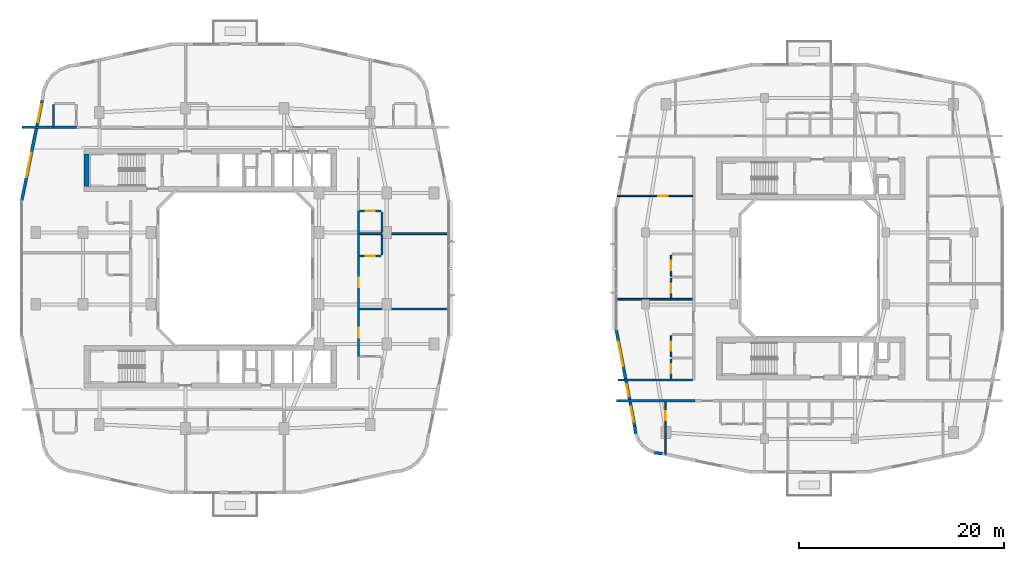
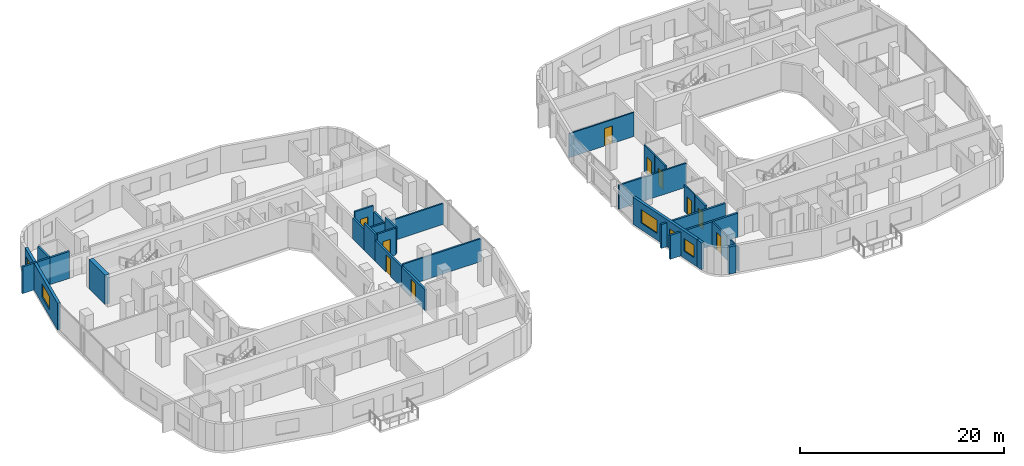
# One storey, part 10 of 22: 27 walls, 10 doors, 5 windows, 15 openings.
"""IFC4 building model written with IfcOpenShell, lengths in metres."""

from ifc_helpers import new_model, si_unit, derived_unit, direction, frame, frame_2d, origin, place, context, subcontext, project, spatial, rectangle, extrude, material, layer, layer_set, type_object, element, fill, save


model = new_model("IFC4")

# Units and contexts
model_context = context("Model", 3, precision=1e-05, world=origin(), true_north=direction((0.0, 1.0)))
body_context = subcontext(model_context, "Body", "Model", "MODEL_VIEW")
ifc_project = project(units=[si_unit("LENGTHUNIT", "METRE"), si_unit("AREAUNIT", "SQUARE_METRE"), si_unit("VOLUMEUNIT", "CUBIC_METRE"), si_unit("PLANEANGLEUNIT", "RADIAN"), si_unit("MASSUNIT", "GRAM", prefix="KILO"), derived_unit("THERMALTRANSMITTANCEUNIT", [(si_unit("POWERUNIT", "WATT"), 1), (si_unit("LENGTHUNIT", "METRE"), -2), (si_unit("THERMODYNAMICTEMPERATUREUNIT", "KELVIN"), -1)])], contexts=[model_context])

# Site, building, storey
site_placement = place(None, origin())
site = spatial("IfcSite", under=ifc_project, at=site_placement, CompositionType="ELEMENT")
building_placement = place(site_placement, origin())
building = spatial("IfcBuilding", under=site, at=building_placement, Name="Kivonza Crest Hotel", CompositionType="ELEMENT")
storey_placement = place(building_placement, frame((0.0, 0.0, 69.5)))
storey = spatial("IfcBuildingStorey", under=building, at=storey_placement, Name="L18", CompositionType="ELEMENT", Elevation=69.5)

# Walls
ifc_material_1 = material(Name="High-density acoustic masonry inter-tenancy wall", Category="masonry")
ifc_layer_1 = layer(ifc_material_1, 0.179931640625)
ifc_layer_set_1 = layer_set([ifc_layer_1], Name="High-density acoustic masonry inter-tenancy wall")
wall_type_1 = type_object("IfcWallType", Name="WL-ACOU-180", PredefinedType="SOLIDWALL", material=ifc_layer_set_1)
wall_1_placement = place(storey_placement, frame((33.050048828125, 21.049072265625, 0.0), z_axis=(0.0, 0.0, 1.0), x_axis=(1.0, 0.0, 0.0)))
element("IfcWall", 1, at=wall_1_placement, inside=storey, type_object=wall_type_1, Name="L18 interior partition WA-L18-T1E-DIV1", PredefinedType="SOLIDWALL", context=body_context, shape_type="SweptSolid", body=[
    extrude(rectangle(XDim=8.889892578125, YDim=0.179931640625, at=frame_2d((4.44482421875, 0.0))), origin(), (0.0, 0.0, 1.0), 2.7451171875),
])
wall_2_placement = place(storey_placement, frame((33.050048828125, 28.39306640625, 0.0), z_axis=(0.0, 0.0, 1.0), x_axis=(1.0, 0.0, 0.0)))
element("IfcWall", 2, at=wall_2_placement, inside=storey, type_object=wall_type_1, Name="L18 interior partition WA-L18-T1E-DIV2", PredefinedType="SOLIDWALL", context=body_context, shape_type="SweptSolid", body=[
    extrude(rectangle(XDim=8.889892578125, YDim=0.179931640625, at=frame_2d((4.44482421875, 0.0))), origin(), (0.0, 0.0, 1.0), 2.4951171875),
])
wall_3_placement = place(storey_placement, frame((58.06005859375, 22.0, 0.0), z_axis=(0.0, 0.0, 1.0), x_axis=(1.0, 0.0, 0.0)))
element("IfcWall", 3, at=wall_3_placement, inside=storey, type_object=wall_type_1, Name="L18 interior partition WA-L18-T2W-DIV1", PredefinedType="SOLIDWALL", context=body_context, shape_type="SweptSolid", body=[
    extrude(rectangle(XDim=7.639892578125, YDim=0.179931640625, at=frame_2d((3.81982421875, 0.0))), origin(), (0.0, 0.0, 1.0), 2.864990234375),
])
ifc_material_2 = material(Name="Autoclaved aerated concrete blockwork", Category="masonry")
ifc_layer_2 = layer(ifc_material_2, 0.219970703125)
ifc_layer_set_2 = layer_set([ifc_layer_2], Name="Autoclaved aerated concrete blockwork")
wall_type_2 = type_object("IfcWallType", Name="WL-ACOU-220", PredefinedType="SOLIDWALL", material=ifc_layer_set_2)
wall_4_placement = place(storey_placement, frame((0.239990234375, 38.75, 0.0), z_axis=(0.0, 0.0, 1.0), x_axis=(1.0, 0.0, 0.0)))
element("IfcWall", 4, at=wall_4_placement, inside=storey, type_object=wall_type_2, Name="L18 interior partition WA-L18-N01-XCORR", PredefinedType="SOLIDWALL", context=body_context, shape_type="SweptSolid", body=[
    extrude(rectangle(XDim=3.110107421875, YDim=0.219970703125, at=frame_2d((1.55517578125, 0.0))), origin(), (0.0, 0.0, 1.0), 3.219970703125),
])
wall_5_placement = place(storey_placement, frame((3.35009765625, 38.75, 0.0), z_axis=(0.0, 0.0, 1.0), x_axis=(1.0, 0.0, 0.0)))
element("IfcWall", 5, at=wall_5_placement, inside=storey, type_object=wall_type_2, Name="L18 interior partition WA-L18-N01-BCORR", PredefinedType="SOLIDWALL", context=body_context, shape_type="SweptSolid", body=[
    extrude(rectangle(XDim=2.199951171875, YDim=0.219970703125, at=frame_2d((1.10009765625, 0.0))), origin(), (0.0, 0.0, 1.0), 3.219970703125),
])

# Wall, opening, door
wall_6_placement = place(storey_placement, frame((33.050048828125, 16.39990234375, 0.0), z_axis=(0.0, 0.0, 1.0), x_axis=(0.0, 1.0, 0.0)))
wall_6 = element("IfcWall", 6, at=wall_6_placement, inside=storey, type_object=wall_type_2, Name="L18 interior partition WA-L18-E08-MCORR", PredefinedType="SOLIDWALL", context=body_context, shape_type="SweptSolid", body=[
    extrude(rectangle(XDim=4.649169921875, YDim=0.219970703125, at=frame_2d((2.32470703125, 0.0))), origin(), (0.0, 0.0, 1.0), 2.4951171875),
])
opening_1_placement = place(wall_6_placement, frame((1.85009765625, 0.0, 0.0)))
opening_1 = element("IfcOpeningElement", 7, at=opening_1_placement, cuts=wall_6, Name="Opening DU-60", PredefinedType="OPENING", context=body_context, shape_type="SweptSolid", body=[
    extrude(rectangle(XDim=0.949951171875, YDim=2.10009765625, at=frame_2d((0.47509765625, 1.050048828125))), frame((0.0, 0.1201171875, 0.0), z_axis=(0.0, -1.0, 0.0), x_axis=(1.0, 0.0, 0.0)), (0.0, 0.0, 1.0), 0.239990234375),
])
ifc_material_3 = material(Name="Hardwood timber oak", Category="wood")
door_type_1 = type_object("IfcDoorType", Name="DR-UNIT-950", OperationType="NOTDEFINED", PredefinedType="DOOR", material=ifc_material_3)
door_1_placement = place(opening_1_placement, frame((0.949951171875, 0.0, 0.0), z_axis=(0.0, 0.0, 1.0), x_axis=(-1.0, 0.0, 0.0)))
door_1 = element("IfcDoor", 8, at=door_1_placement, inside=storey, type_object=door_type_1, Name="L18 E08 guest unit entrance fire door", OperationType="SINGLE_SWING_RIGHT", OverallHeight=2.10009765625, OverallWidth=0.949951171875, PredefinedType="DOOR", context=body_context, shape_type="SweptSolid", body=[
    extrude(rectangle(XDim=0.949951171875, YDim=2.10009765625, at=frame_2d((0.47509765625, 1.050048828125))), frame((0.0, 0.02490234375, 0.0), z_axis=(0.0, -1.0, 0.0), x_axis=(1.0, 0.0, 0.0)), (0.0, 0.0, 1.0), 0.050048828125),
])
fill(opening_1, door_1)

# Wall
wall_7_placement = place(storey_placement, frame((33.050048828125, 26.193115234375, 0.0), z_axis=(0.0, 0.0, 1.0), x_axis=(0.0, 1.0, 0.0)))
element("IfcWall", 9, at=wall_7_placement, inside=storey, type_object=wall_type_2, Name="L18 interior partition WA-L18-E09-BCORR", PredefinedType="SOLIDWALL", context=body_context, shape_type="SweptSolid", body=[
    extrude(rectangle(XDim=2.199951171875, YDim=0.219970703125, at=frame_2d((1.10009765625, 0.0))), origin(), (0.0, 0.0, 1.0), 3.219970703125),
])

# Wall, opening, door
wall_8_placement = place(storey_placement, frame((33.050048828125, 21.049072265625, 0.0), z_axis=(0.0, 0.0, 1.0), x_axis=(0.0, 1.0, 0.0)))
wall_8 = element("IfcWall", 10, at=wall_8_placement, inside=storey, type_object=wall_type_2, Name="L18 interior partition WA-L18-E09-MCORR", PredefinedType="SOLIDWALL", context=body_context, shape_type="SweptSolid", body=[
    extrude(rectangle(XDim=5.14404296875, YDim=0.219970703125, at=frame_2d((2.572021484375, 0.0))), origin(), (0.0, 0.0, 1.0), 2.4951171875),
])
opening_2_placement = place(wall_8_placement, frame((2.096923828125, 0.0, 0.0)))
opening_2 = element("IfcOpeningElement", 11, at=opening_2_placement, cuts=wall_8, Name="Opening DU-60", PredefinedType="OPENING", context=body_context, shape_type="SweptSolid", body=[
    extrude(rectangle(XDim=0.949951171875, YDim=2.10009765625, at=frame_2d((0.47509765625, 1.050048828125))), frame((0.0, 0.1201171875, 0.0), z_axis=(0.0, -1.0, 0.0), x_axis=(1.0, 0.0, 0.0)), (0.0, 0.0, 1.0), 0.239990234375),
])
door_2_placement = place(opening_2_placement, frame((0.949951171875, 0.0, 0.0), z_axis=(0.0, 0.0, 1.0), x_axis=(-1.0, 0.0, 0.0)))
door_2 = element("IfcDoor", 12, at=door_2_placement, inside=storey, type_object=door_type_1, Name="L18 E09 guest unit entrance fire door", OperationType="SINGLE_SWING_LEFT", OverallHeight=2.10009765625, OverallWidth=0.949951171875, PredefinedType="DOOR", context=body_context, shape_type="SweptSolid", body=[
    extrude(rectangle(XDim=0.949951171875, YDim=2.10009765625, at=frame_2d((0.47509765625, 1.050048828125))), frame((0.0, 0.02490234375, 0.0), z_axis=(0.0, -1.0, 0.0), x_axis=(1.0, 0.0, 0.0)), (0.0, 0.0, 1.0), 0.050048828125),
])
fill(opening_2, door_2)

# Walls
wall_9_placement = place(storey_placement, frame((33.050048828125, 28.39306640625, 0.0), z_axis=(0.0, 0.0, 1.0), x_axis=(0.0, 1.0, 0.0)))
element("IfcWall", 13, at=wall_9_placement, inside=storey, type_object=wall_type_2, Name="L18 interior partition WA-L18-E10-BCORR", PredefinedType="SOLIDWALL", context=body_context, shape_type="SweptSolid", body=[
    extrude(rectangle(XDim=2.199951171875, YDim=0.219970703125, at=frame_2d((1.10009765625, 0.0))), origin(), (0.0, 0.0, 1.0), 2.4951171875),
])
wall_10_placement = place(storey_placement, frame((58.159912109375, 12.10009765625, 0.0), z_axis=(0.0, 0.0, 1.0), x_axis=(1.0, 0.0, 0.0)))
element("IfcWall", 14, at=wall_10_placement, inside=storey, type_object=wall_type_2, Name="L18 interior partition WA-L18-A03-LCORR", PredefinedType="SOLIDWALL", context=body_context, shape_type="SweptSolid", body=[
    extrude(rectangle(XDim=7.690185546875, YDim=0.219970703125, at=frame_2d((3.84521484375, 0.0))), origin(), (0.0, 0.0, 1.0), 2.864990234375),
])
wall_11_placement = place(storey_placement, frame((58.320068359375, 14.139892578125, 0.0), z_axis=(0.0, 0.0, 1.0), x_axis=(1.0, 0.0, 0.0)))
element("IfcWall", 15, at=wall_11_placement, inside=storey, type_object=wall_type_2, Name="L18 interior partition WA-L18-T2W-ENDS", PredefinedType="SOLIDWALL", context=body_context, shape_type="SweptSolid", body=[
    extrude(rectangle(XDim=7.280029296875, YDim=0.219970703125, at=frame_2d((3.64013671875, 0.0))), origin(), (0.0, 0.0, 1.0), 2.864990234375),
])
ifc_material_4 = material(Name="Concrete C60/75", Category="concrete")
ifc_layer_3 = layer(ifc_material_4, 0.5)
ifc_layer_set_3 = layer_set([ifc_layer_3], Name="Concrete C60/75")
wall_type_3 = type_object("IfcWallType", Name="WL-CORE-500", PredefinedType="SHEAR", material=ifc_layer_set_3)
wall_12_placement = place(storey_placement, frame((6.550048828125, 33.0, 0.0), z_axis=(0.0, 0.0, 1.0), x_axis=(0.0, 1.0, 0.0)))
element("IfcWall", 16, at=wall_12_placement, inside=storey, type_object=wall_type_3, Name="Core wall T1-N West L18", PredefinedType="SHEAR", context=body_context, shape_type="SweptSolid", body=[
    extrude(rectangle(XDim=3.159912109375, YDim=0.5, at=frame_2d((1.580078125, 0.0))), origin(), (0.0, 0.0, 1.0), 3.5),
])

# Wall, openings, windows
ifc_material_5 = material(Name="Precast concrete C40/50", Category="concrete")
ifc_layer_4 = layer(ifc_material_5, 0.300048828125)
ifc_layer_set_4 = layer_set([ifc_layer_4], Name="Precast concrete C40/50")
wall_type_4 = type_object("IfcWallType", Name="WL-EXT-300", PredefinedType="STANDARD", material=ifc_layer_set_4)
wall_13_placement = place(storey_placement, frame((2.22900390625, 41.3779296875, 0.0), z_axis=(0.0, 0.0, 1.0), x_axis=(-0.199990901713, -0.979797754249, 0.0)))
wall_13 = element("IfcWall", 17, at=wall_13_placement, inside=storey, type_object=wall_type_4, Name="L18 T1 exterior insulated wall 34", PredefinedType="STANDARD", context=body_context, shape_type="SweptSolid", body=[
    extrude(rectangle(XDim=10.065185546875, YDim=0.300048828125, at=frame_2d((5.03271484375, 0.0))), origin(), (0.0, 0.0, 1.0), 3.219970703125),
])
opening_3_placement = place(wall_13_placement, frame((0.3779296875, 0.0, 0.85009765625)))
opening_3 = element("IfcOpeningElement", 18, at=opening_3_placement, cuts=wall_13, Name="Opening WN-03", PredefinedType="OPENING", context=body_context, shape_type="SweptSolid", body=[
    extrude(rectangle(XDim=1.800048828125, YDim=1.5, at=frame_2d((0.89990234375, 0.75))), frame((0.0, 0.16015625, 0.0), z_axis=(0.0, -1.0, 0.0), x_axis=(1.0, 0.0, 0.0)), (0.0, 0.0, 1.0), 0.320068359375),
])
opening_4_placement = place(wall_13_placement, frame((5.236083984375, 0.0, 0.800048828125)))
opening_4 = element("IfcOpeningElement", 19, at=opening_4_placement, cuts=wall_13, Name="Opening WN-05", PredefinedType="OPENING", context=body_context, shape_type="SweptSolid", body=[
    extrude(rectangle(XDim=2.39990234375, YDim=1.60009765625, at=frame_2d((1.199951171875, 0.800048828125))), frame((0.0, 0.16015625, 0.0), z_axis=(0.0, -1.0, 0.0), x_axis=(1.0, 0.0, 0.0)), (0.0, 0.0, 1.0), 0.320068359375),
])
ifc_material_6 = material(Name="Thermally broken bronze aluminium and low-E double glazing", Category="aluminium")
window_type_1 = type_object("IfcWindowType", Name="WN-180x150", PartitioningType="DOUBLE_PANEL_VERTICAL", PredefinedType="WINDOW", material=ifc_material_6)
window_1_placement = place(opening_3_placement, origin())
window_1 = element("IfcWindow", 20, at=window_1_placement, inside=storey, type_object=window_type_1, Name="L18 T1 facade window 34 bay 1", OverallHeight=1.5, OverallWidth=1.800048828125, PartitioningType="SINGLE_PANEL", PredefinedType="WINDOW", context=body_context, shape_type="SweptSolid", body=[
    extrude(rectangle(XDim=1.800048828125, YDim=1.5, at=frame_2d((0.89990234375, 0.75))), frame((0.0, 0.030029296875, 0.0), z_axis=(0.0, -1.0, 0.0), x_axis=(1.0, 0.0, 0.0)), (0.0, 0.0, 1.0), 0.06005859375),
])
fill(opening_3, window_1)
window_type_2 = type_object("IfcWindowType", Name="WN-240x160", PartitioningType="TRIPLE_PANEL_VERTICAL", PredefinedType="WINDOW", material=ifc_material_6)
window_2_placement = place(opening_4_placement, origin())
window_2 = element("IfcWindow", 21, at=window_2_placement, inside=storey, type_object=window_type_2, Name="L18 T1 facade window 34 bay 2", OverallHeight=1.60009765625, OverallWidth=2.39990234375, PartitioningType="SINGLE_PANEL", PredefinedType="WINDOW", context=body_context, shape_type="SweptSolid", body=[
    extrude(rectangle(XDim=2.39990234375, YDim=1.60009765625, at=frame_2d((1.199951171875, 0.800048828125))), frame((0.0, 0.030029296875, 0.0), z_axis=(0.0, -1.0, 0.0), x_axis=(1.0, 0.0, 0.0)), (0.0, 0.0, 1.0), 0.06005859375),
])
fill(opening_4, window_2)

# Walls
wall_14_placement = place(storey_placement, frame((59.947998046875, 9.626953125, 0.0), z_axis=(0.0, 0.0, 1.0), x_axis=(0.130255288807, -0.991480488834, 0.0)))
element("IfcWall", 22, at=wall_14_placement, inside=storey, type_object=wall_type_4, Name="L18 T2 exterior insulated wall 1", PredefinedType="STANDARD", context=body_context, shape_type="SweptSolid", body=[
    extrude(rectangle(XDim=0.72900390625, YDim=0.300048828125, at=frame_2d((0.364501953125, 0.0))), origin(), (0.0, 0.0, 1.0), 3.25),
])
wall_15_placement = place(storey_placement, frame((61.868896484375, 7.047119140625, 0.0), z_axis=(0.0, 0.0, 1.0), x_axis=(0.991559404866, -0.129653178221, 0.0)))
element("IfcWall", 23, at=wall_15_placement, inside=storey, type_object=wall_type_4, Name="L18 T2 exterior insulated wall 6", PredefinedType="STANDARD", context=body_context, shape_type="SweptSolid", body=[
    extrude(rectangle(XDim=0.764404296875, YDim=0.300048828125, at=frame_2d((0.38232421875, 0.0))), origin(), (0.0, 0.0, 1.0), 3.25),
])

# Wall, openings, windows
wall_16_placement = place(storey_placement, frame((58.136962890625, 19.08203125, 0.0), z_axis=(0.0, 0.0, 1.0), x_axis=(0.188087874316, -0.982152203854, 0.0)))
wall_16 = element("IfcWall", 24, at=wall_16_placement, inside=storey, type_object=wall_type_4, Name="L18 T2 exterior insulated wall 36", PredefinedType="STANDARD", context=body_context, shape_type="SweptSolid", body=[
    extrude(rectangle(XDim=9.6337890625, YDim=0.300048828125, at=frame_2d((4.81689453125, 0.0))), origin(), (0.0, 0.0, 1.0), 3.25),
])
opening_5_placement = place(wall_16_placement, frame((1.2548828125, 0.0, 0.800048828125)))
opening_5 = element("IfcOpeningElement", 25, at=opening_5_placement, cuts=wall_16, Name="Opening WN-05", PredefinedType="OPENING", context=body_context, shape_type="SweptSolid", body=[
    extrude(rectangle(XDim=2.39990234375, YDim=1.60009765625, at=frame_2d((1.199951171875, 0.800048828125))), frame((0.0, 0.16015625, 0.0), z_axis=(0.0, -1.0, 0.0), x_axis=(1.0, 0.0, 0.0)), (0.0, 0.0, 1.0), 0.320068359375),
])
opening_6_placement = place(wall_16_placement, frame((5.469970703125, 0.0, 0.85009765625)))
opening_6 = element("IfcOpeningElement", 26, at=opening_6_placement, cuts=wall_16, Name="Opening WN-01", PredefinedType="OPENING", context=body_context, shape_type="SweptSolid", body=[
    extrude(rectangle(XDim=1.199951171875, YDim=1.5, at=frame_2d((0.60009765625, 0.75))), frame((0.0, 0.16015625, 0.0), z_axis=(0.0, -1.0, 0.0), x_axis=(1.0, 0.0, 0.0)), (0.0, 0.0, 1.0), 0.320068359375),
])
opening_7_placement = place(wall_16_placement, frame((7.681884765625, 0.0, 0.85009765625)))
opening_7 = element("IfcOpeningElement", 27, at=opening_7_placement, cuts=wall_16, Name="Opening WN-02", PredefinedType="OPENING", context=body_context, shape_type="SweptSolid", body=[
    extrude(rectangle(XDim=1.5, YDim=1.5, at=frame_2d((0.75, 0.75))), frame((0.0, 0.16015625, 0.0), z_axis=(0.0, -1.0, 0.0), x_axis=(1.0, 0.0, 0.0)), (0.0, 0.0, 1.0), 0.320068359375),
])
window_type_3 = type_object("IfcWindowType", Name="WN-120x150", PartitioningType="SINGLE_PANEL", PredefinedType="WINDOW", material=ifc_material_6)
window_3_placement = place(opening_6_placement, origin())
window_3 = element("IfcWindow", 28, at=window_3_placement, inside=storey, type_object=window_type_3, Name="L18 T2 facade window 36 bay 2", OverallHeight=1.5, OverallWidth=1.199951171875, PartitioningType="SINGLE_PANEL", PredefinedType="WINDOW", context=body_context, shape_type="SweptSolid", body=[
    extrude(rectangle(XDim=1.199951171875, YDim=1.5, at=frame_2d((0.60009765625, 0.75))), frame((0.0, 0.030029296875, 0.0), z_axis=(0.0, -1.0, 0.0), x_axis=(1.0, 0.0, 0.0)), (0.0, 0.0, 1.0), 0.06005859375),
])
fill(opening_6, window_3)
window_type_4 = type_object("IfcWindowType", Name="WN-150x150", PartitioningType="DOUBLE_PANEL_VERTICAL", PredefinedType="WINDOW", material=ifc_material_6)
window_4_placement = place(opening_7_placement, origin())
window_4 = element("IfcWindow", 29, at=window_4_placement, inside=storey, type_object=window_type_4, Name="L18 T2 facade window 36 bay 3", OverallHeight=1.5, OverallWidth=1.5, PartitioningType="SINGLE_PANEL", PredefinedType="WINDOW", context=body_context, shape_type="SweptSolid", body=[
    extrude(rectangle(XDim=1.5, YDim=1.5, at=frame_2d((0.75, 0.75))), frame((0.0, 0.030029296875, 0.0), z_axis=(0.0, -1.0, 0.0), x_axis=(1.0, 0.0, 0.0)), (0.0, 0.0, 1.0), 0.06005859375),
])
fill(opening_7, window_4)
window_5_placement = place(opening_5_placement, origin())
window_5 = element("IfcWindow", 30, at=window_5_placement, inside=storey, type_object=window_type_2, Name="L18 T2 facade window 36 bay 1", OverallHeight=1.60009765625, OverallWidth=2.39990234375, PartitioningType="SINGLE_PANEL", PredefinedType="WINDOW", context=body_context, shape_type="SweptSolid", body=[
    extrude(rectangle(XDim=2.39990234375, YDim=1.60009765625, at=frame_2d((1.199951171875, 0.800048828125))), frame((0.0, 0.030029296875, 0.0), z_axis=(0.0, -1.0, 0.0), x_axis=(1.0, 0.0, 0.0)), (0.0, 0.0, 1.0), 0.06005859375),
])
fill(opening_5, window_5)

# Wall, opening, door
ifc_material_7 = material(Name="Twin-stud acoustic gypsum board partition", Category="gypsum")
ifc_layer_5 = layer(ifc_material_7, 0.14990234375)
ifc_layer_set_5 = layer_set([ifc_layer_5], Name="Twin-stud acoustic gypsum board partition")
wall_type_5 = type_object("IfcWallType", Name="WL-PART-150", PredefinedType="PARTITIONING", material=ifc_layer_set_5)
wall_17_placement = place(storey_placement, frame((62.9599609375, 6.886962890625, 0.0), z_axis=(0.0, 0.0, 1.0), x_axis=(0.0, 1.0, 0.0)))
wall_17 = element("IfcWall", 31, at=wall_17_placement, inside=storey, type_object=wall_type_5, Name="L18 interior partition WP-L18-A03-BDW1", PredefinedType="PARTITIONING", context=body_context, shape_type="SweptSolid", body=[
    extrude(rectangle(XDim=5.113037109375, YDim=0.14990234375, at=frame_2d((2.556640625, 0.0))), origin(), (0.0, 0.0, 1.0), 2.864990234375),
])
opening_8_placement = place(wall_17_placement, frame((3.31005859375, 0.0, 0.0)))
opening_8 = element("IfcOpeningElement", 32, at=opening_8_placement, cuts=wall_17, Name="Opening DI-90", PredefinedType="OPENING", context=body_context, shape_type="SweptSolid", body=[
    extrude(rectangle(XDim=0.89990234375, YDim=2.10009765625, at=frame_2d((0.449951171875, 1.050048828125))), frame((0.0, 0.0849609375, 0.0), z_axis=(0.0, -1.0, 0.0), x_axis=(1.0, 0.0, 0.0)), (0.0, 0.0, 1.0), 0.169921875),
])
door_type_2 = type_object("IfcDoorType", Name="DR-INT-900", OperationType="NOTDEFINED", PredefinedType="DOOR", material=ifc_material_3)
door_3_placement = place(opening_8_placement, origin())
door_3 = element("IfcDoor", 33, at=door_3_placement, inside=storey, type_object=door_type_2, Name="L18 A03 bedroom 1 door", OperationType="SINGLE_SWING_RIGHT", OverallHeight=2.10009765625, OverallWidth=0.89990234375, PredefinedType="DOOR", context=body_context, shape_type="SweptSolid", body=[
    extrude(rectangle(XDim=0.89990234375, YDim=2.10009765625, at=frame_2d((0.449951171875, 1.050048828125))), frame((0.0, 0.02490234375, 0.0), z_axis=(0.0, -1.0, 0.0), x_axis=(1.0, 0.0, 0.0)), (0.0, 0.0, 1.0), 0.050048828125),
])
fill(opening_8, door_3)

wall_18_placement = place(storey_placement, frame((63.5, 16.389892578125, 0.0), z_axis=(0.0, 0.0, 1.0), x_axis=(0.0, 1.0, 0.0)))
wall_18 = element("IfcWall", 34, at=wall_18_placement, inside=storey, type_object=wall_type_5, Name="L18 interior partition WP-L18-A05-KSVC", PredefinedType="PARTITIONING", context=body_context, shape_type="SweptSolid", body=[
    extrude(rectangle(XDim=2.050048828125, YDim=0.14990234375, at=frame_2d((1.02490234375, 0.0))), origin(), (0.0, 0.0, 1.0), 3.219970703125),
])
opening_9_placement = place(wall_18_placement, frame((0.574951171875, 0.0, 0.0)))
opening_9 = element("IfcOpeningElement", 35, at=opening_9_placement, cuts=wall_18, Name="Opening DI-90", PredefinedType="OPENING", context=body_context, shape_type="SweptSolid", body=[
    extrude(rectangle(XDim=0.89990234375, YDim=2.10009765625, at=frame_2d((0.449951171875, 1.050048828125))), frame((0.0, 0.0849609375, 0.0), z_axis=(0.0, -1.0, 0.0), x_axis=(1.0, 0.0, 0.0)), (0.0, 0.0, 1.0), 0.169921875),
])
door_4_placement = place(opening_9_placement, origin())
door_4 = element("IfcDoor", 36, at=door_4_placement, inside=storey, type_object=door_type_2, Name="L18 A05 apartment kitchen door", OperationType="SINGLE_SWING_LEFT", OverallHeight=2.10009765625, OverallWidth=0.89990234375, PredefinedType="DOOR", context=body_context, shape_type="SweptSolid", body=[
    extrude(rectangle(XDim=0.89990234375, YDim=2.10009765625, at=frame_2d((0.449951171875, 1.050048828125))), frame((0.0, 0.02490234375, 0.0), z_axis=(0.0, -1.0, 0.0), x_axis=(1.0, 0.0, 0.0)), (0.0, 0.0, 1.0), 0.050048828125),
])
fill(opening_9, door_4)

wall_19_placement = place(storey_placement, frame((58.260009765625, 32.06005859375, 0.0), z_axis=(0.0, 0.0, 1.0), x_axis=(1.0, 0.0, 0.0)))
wall_19 = element("IfcWall", 37, at=wall_19_placement, inside=storey, type_object=wall_type_5, Name="L18 interior partition WP-L18-A06-BD1", PredefinedType="PARTITIONING", context=body_context, shape_type="SweptSolid", body=[
    extrude(rectangle(XDim=7.340087890625, YDim=0.14990234375, at=frame_2d((3.669921875, 0.0))), origin(), (0.0, 0.0, 1.0), 2.864990234375),
])
opening_10_placement = place(wall_19_placement, frame((3.989990234375, 0.0, 0.0)))
opening_10 = element("IfcOpeningElement", 38, at=opening_10_placement, cuts=wall_19, Name="Opening DI-90", PredefinedType="OPENING", context=body_context, shape_type="SweptSolid", body=[
    extrude(rectangle(XDim=0.89990234375, YDim=2.10009765625, at=frame_2d((0.449951171875, 1.050048828125))), frame((0.0, 0.0849609375, 0.0), z_axis=(0.0, -1.0, 0.0), x_axis=(1.0, 0.0, 0.0)), (0.0, 0.0, 1.0), 0.169921875),
])
door_5_placement = place(opening_10_placement, origin())
door_5 = element("IfcDoor", 39, at=door_5_placement, inside=storey, type_object=door_type_2, Name="L18 A06 bedroom door", OperationType="SINGLE_SWING_LEFT", OverallHeight=2.10009765625, OverallWidth=0.89990234375, PredefinedType="DOOR", context=body_context, shape_type="SweptSolid", body=[
    extrude(rectangle(XDim=0.89990234375, YDim=2.10009765625, at=frame_2d((0.449951171875, 1.050048828125))), frame((0.0, 0.02490234375, 0.0), z_axis=(0.0, -1.0, 0.0), x_axis=(1.0, 0.0, 0.0)), (0.0, 0.0, 1.0), 0.050048828125),
])
fill(opening_10, door_5)

wall_20_placement = place(storey_placement, frame((63.5, 24.25, 0.0), z_axis=(0.0, 0.0, 1.0), x_axis=(0.0, 1.0, 0.0)))
wall_20 = element("IfcWall", 40, at=wall_20_placement, inside=storey, type_object=wall_type_5, Name="L18 interior partition WP-L18-A06-KSVC", PredefinedType="PARTITIONING", context=body_context, shape_type="SweptSolid", body=[
    extrude(rectangle(XDim=2.050048828125, YDim=0.14990234375, at=frame_2d((1.02490234375, 0.0))), origin(), (0.0, 0.0, 1.0), 3.219970703125),
])
opening_11_placement = place(wall_20_placement, frame((0.574951171875, 0.0, 0.0)))
opening_11 = element("IfcOpeningElement", 41, at=opening_11_placement, cuts=wall_20, Name="Opening DI-90", PredefinedType="OPENING", context=body_context, shape_type="SweptSolid", body=[
    extrude(rectangle(XDim=0.89990234375, YDim=2.10009765625, at=frame_2d((0.449951171875, 1.050048828125))), frame((0.0, 0.0849609375, 0.0), z_axis=(0.0, -1.0, 0.0), x_axis=(1.0, 0.0, 0.0)), (0.0, 0.0, 1.0), 0.169921875),
])
door_6_placement = place(opening_11_placement, origin())
door_6 = element("IfcDoor", 42, at=door_6_placement, inside=storey, type_object=door_type_2, Name="L18 A06 apartment kitchen door", OperationType="SINGLE_SWING_RIGHT", OverallHeight=2.10009765625, OverallWidth=0.89990234375, PredefinedType="DOOR", context=body_context, shape_type="SweptSolid", body=[
    extrude(rectangle(XDim=0.89990234375, YDim=2.10009765625, at=frame_2d((0.449951171875, 1.050048828125))), frame((0.0, 0.02490234375, 0.0), z_axis=(0.0, -1.0, 0.0), x_axis=(1.0, 0.0, 0.0)), (0.0, 0.0, 1.0), 0.050048828125),
])
fill(opening_11, door_6)

# Wall
ifc_material_8 = material(Name="Moisture-resistant plumbing chase partition wall", Category="gypsum")
ifc_layer_6 = layer(ifc_material_8, 0.199951171875)
ifc_layer_set_6 = layer_set([ifc_layer_6], Name="Moisture-resistant plumbing chase partition wall")
wall_type_6 = type_object("IfcWallType", Name="WL-PLUMB-200", PredefinedType="PLUMBINGWALL", material=ifc_layer_set_6)
wall_21_placement = place(storey_placement, frame((3.35009765625, 38.85009765625, 0.0), z_axis=(0.0, 0.0, 1.0), x_axis=(0.0, 1.0, 0.0)))
element("IfcWall", 43, at=wall_21_placement, inside=storey, type_object=wall_type_6, Name="L18 interior partition WW-L18-N01-BVW", PredefinedType="PLUMBINGWALL", context=body_context, shape_type="SweptSolid", body=[
    extrude(rectangle(XDim=2.099853515625, YDim=0.199951171875, at=frame_2d((1.0498046875, 0.0))), origin(), (0.0, 0.0, 1.0), 3.219970703125),
])

# Wall, opening, door
wall_22_placement = place(storey_placement, frame((33.14990234375, 26.193115234375, 0.0), z_axis=(0.0, 0.0, 1.0), x_axis=(1.0, 0.0, 0.0)))
wall_22 = element("IfcWall", 44, at=wall_22_placement, inside=storey, type_object=wall_type_6, Name="L18 interior partition WW-L18-E09-BH", PredefinedType="PLUMBINGWALL", context=body_context, shape_type="SweptSolid", body=[
    extrude(rectangle(XDim=2.10009765625, YDim=0.199951171875, at=frame_2d((1.050048828125, 0.0))), origin(), (0.0, 0.0, 1.0), 3.219970703125),
])
opening_12_placement = place(wall_22_placement, frame((0.625, 0.0, 0.0)))
opening_12 = element("IfcOpeningElement", 45, at=opening_12_placement, cuts=wall_22, Name="Opening DI-85", PredefinedType="OPENING", context=body_context, shape_type="SweptSolid", body=[
    extrude(rectangle(XDim=0.85009765625, YDim=2.10009765625, at=frame_2d((0.425048828125, 1.050048828125))), frame((0.0, 0.10986328125, 0.0), z_axis=(0.0, -1.0, 0.0), x_axis=(1.0, 0.0, 0.0)), (0.0, 0.0, 1.0), 0.219970703125),
])
door_type_3 = type_object("IfcDoorType", Name="DR-INT-850", OperationType="NOTDEFINED", PredefinedType="DOOR", material=ifc_material_3)
door_7_placement = place(opening_12_placement, frame((0.85009765625, 0.0, 0.0), z_axis=(0.0, 0.0, 1.0), x_axis=(-1.0, 0.0, 0.0)))
door_7 = element("IfcDoor", 46, at=door_7_placement, inside=storey, type_object=door_type_3, Name="L18 E09 en-suite bathroom door", OperationType="SINGLE_SWING_RIGHT", OverallHeight=2.10009765625, OverallWidth=0.85009765625, PredefinedType="DOOR", context=body_context, shape_type="SweptSolid", body=[
    extrude(rectangle(XDim=0.85009765625, YDim=2.10009765625, at=frame_2d((0.425048828125, 1.050048828125))), frame((0.0, 0.02490234375, 0.0), z_axis=(0.0, -1.0, 0.0), x_axis=(1.0, 0.0, 0.0)), (0.0, 0.0, 1.0), 0.050048828125),
])
fill(opening_12, door_7)

# Wall
wall_23_placement = place(storey_placement, frame((35.35009765625, 26.29296875, 0.0), z_axis=(0.0, 0.0, 1.0), x_axis=(0.0, 1.0, 0.0)))
element("IfcWall", 47, at=wall_23_placement, inside=storey, type_object=wall_type_6, Name="L18 interior partition WW-L18-E09-BV", PredefinedType="PLUMBINGWALL", context=body_context, shape_type="SweptSolid", body=[
    extrude(rectangle(XDim=2.0, YDim=0.199951171875, at=frame_2d((1.0, 0.0))), origin(), (0.0, 0.0, 1.0), 3.219970703125),
])

# Wall, opening, door
wall_24_placement = place(storey_placement, frame((33.14990234375, 30.593017578125, 0.0), z_axis=(0.0, 0.0, 1.0), x_axis=(1.0, 0.0, 0.0)))
wall_24 = element("IfcWall", 48, at=wall_24_placement, inside=storey, type_object=wall_type_6, Name="L18 interior partition WW-L18-E10-BH", PredefinedType="PLUMBINGWALL", context=body_context, shape_type="SweptSolid", body=[
    extrude(rectangle(XDim=2.10009765625, YDim=0.199951171875, at=frame_2d((1.050048828125, 0.0))), origin(), (0.0, 0.0, 1.0), 3.219970703125),
])
opening_13_placement = place(wall_24_placement, frame((0.625, 0.0, 0.0)))
opening_13 = element("IfcOpeningElement", 49, at=opening_13_placement, cuts=wall_24, Name="Opening DI-85", PredefinedType="OPENING", context=body_context, shape_type="SweptSolid", body=[
    extrude(rectangle(XDim=0.85009765625, YDim=2.10009765625, at=frame_2d((0.425048828125, 1.050048828125))), frame((0.0, 0.10986328125, 0.0), z_axis=(0.0, -1.0, 0.0), x_axis=(1.0, 0.0, 0.0)), (0.0, 0.0, 1.0), 0.219970703125),
])
door_8_placement = place(opening_13_placement, origin())
door_8 = element("IfcDoor", 50, at=door_8_placement, inside=storey, type_object=door_type_3, Name="L18 E10 en-suite bathroom door", OperationType="SINGLE_SWING_LEFT", OverallHeight=2.10009765625, OverallWidth=0.85009765625, PredefinedType="DOOR", context=body_context, shape_type="SweptSolid", body=[
    extrude(rectangle(XDim=0.85009765625, YDim=2.10009765625, at=frame_2d((0.425048828125, 1.050048828125))), frame((0.0, 0.02490234375, 0.0), z_axis=(0.0, -1.0, 0.0), x_axis=(1.0, 0.0, 0.0)), (0.0, 0.0, 1.0), 0.050048828125),
])
fill(opening_13, door_8)

# Wall
wall_25_placement = place(storey_placement, frame((35.35009765625, 28.492919921875, 0.0), z_axis=(0.0, 0.0, 1.0), x_axis=(0.0, 1.0, 0.0)))
element("IfcWall", 51, at=wall_25_placement, inside=storey, type_object=wall_type_6, Name="L18 interior partition WW-L18-E10-BV", PredefinedType="PLUMBINGWALL", context=body_context, shape_type="SweptSolid", body=[
    extrude(rectangle(XDim=2.0, YDim=0.199951171875, at=frame_2d((1.0, 0.0))), origin(), (0.0, 0.0, 1.0), 2.4951171875),
])

# Wall, opening, door
wall_26_placement = place(storey_placement, frame((63.5, 14.239990234375, 0.0), z_axis=(0.0, 0.0, 1.0), x_axis=(0.0, 1.0, 0.0)))
wall_26 = element("IfcWall", 52, at=wall_26_placement, inside=storey, type_object=wall_type_6, Name="L18 interior partition WW-L18-A05-BSVC", PredefinedType="PLUMBINGWALL", context=body_context, shape_type="SweptSolid", body=[
    extrude(rectangle(XDim=1.949951171875, YDim=0.199951171875, at=frame_2d((0.97509765625, 0.0))), origin(), (0.0, 0.0, 1.0), 3.219970703125),
])
opening_14_placement = place(wall_26_placement, frame((0.550048828125, 0.0, 0.0)))
opening_14 = element("IfcOpeningElement", 53, at=opening_14_placement, cuts=wall_26, Name="Opening DI-85", PredefinedType="OPENING", context=body_context, shape_type="SweptSolid", body=[
    extrude(rectangle(XDim=0.85009765625, YDim=2.10009765625, at=frame_2d((0.425048828125, 1.050048828125))), frame((0.0, 0.10986328125, 0.0), z_axis=(0.0, -1.0, 0.0), x_axis=(1.0, 0.0, 0.0)), (0.0, 0.0, 1.0), 0.219970703125),
])
door_9_placement = place(opening_14_placement, origin())
door_9 = element("IfcDoor", 54, at=door_9_placement, inside=storey, type_object=door_type_3, Name="L18 A05 apartment bathroom door", OperationType="SINGLE_SWING_RIGHT", OverallHeight=2.10009765625, OverallWidth=0.85009765625, PredefinedType="DOOR", context=body_context, shape_type="SweptSolid", body=[
    extrude(rectangle(XDim=0.85009765625, YDim=2.10009765625, at=frame_2d((0.425048828125, 1.050048828125))), frame((0.0, 0.02490234375, 0.0), z_axis=(0.0, -1.0, 0.0), x_axis=(1.0, 0.0, 0.0)), (0.0, 0.0, 1.0), 0.050048828125),
])
fill(opening_14, door_9)

wall_27_placement = place(storey_placement, frame((63.5, 22.10009765625, 0.0), z_axis=(0.0, 0.0, 1.0), x_axis=(0.0, 1.0, 0.0)))
wall_27 = element("IfcWall", 55, at=wall_27_placement, inside=storey, type_object=wall_type_6, Name="L18 interior partition WW-L18-A06-BSVC", PredefinedType="PLUMBINGWALL", context=body_context, shape_type="SweptSolid", body=[
    extrude(rectangle(XDim=1.949951171875, YDim=0.199951171875, at=frame_2d((0.97509765625, 0.0))), origin(), (0.0, 0.0, 1.0), 3.219970703125),
])
opening_15_placement = place(wall_27_placement, frame((0.550048828125, 0.0, 0.0)))
opening_15 = element("IfcOpeningElement", 56, at=opening_15_placement, cuts=wall_27, Name="Opening DI-85", PredefinedType="OPENING", context=body_context, shape_type="SweptSolid", body=[
    extrude(rectangle(XDim=0.85009765625, YDim=2.10009765625, at=frame_2d((0.425048828125, 1.050048828125))), frame((0.0, 0.10986328125, 0.0), z_axis=(0.0, -1.0, 0.0), x_axis=(1.0, 0.0, 0.0)), (0.0, 0.0, 1.0), 0.219970703125),
])
door_10_placement = place(opening_15_placement, origin())
door_10 = element("IfcDoor", 57, at=door_10_placement, inside=storey, type_object=door_type_3, Name="L18 A06 apartment bathroom door", OperationType="SINGLE_SWING_LEFT", OverallHeight=2.10009765625, OverallWidth=0.85009765625, PredefinedType="DOOR", context=body_context, shape_type="SweptSolid", body=[
    extrude(rectangle(XDim=0.85009765625, YDim=2.10009765625, at=frame_2d((0.425048828125, 1.050048828125))), frame((0.0, 0.02490234375, 0.0), z_axis=(0.0, -1.0, 0.0), x_axis=(1.0, 0.0, 0.0)), (0.0, 0.0, 1.0), 0.050048828125),
])
fill(opening_15, door_10)

save(model, "model.ifc")
